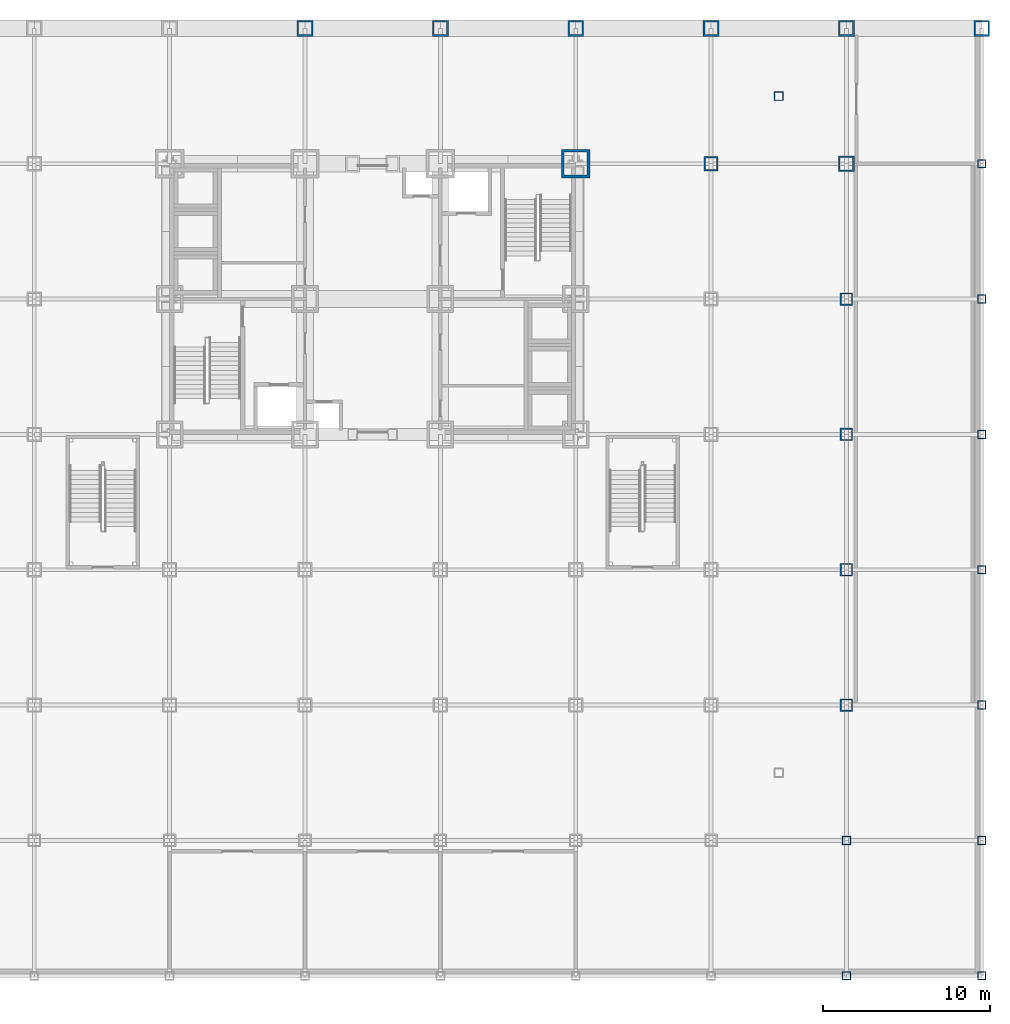
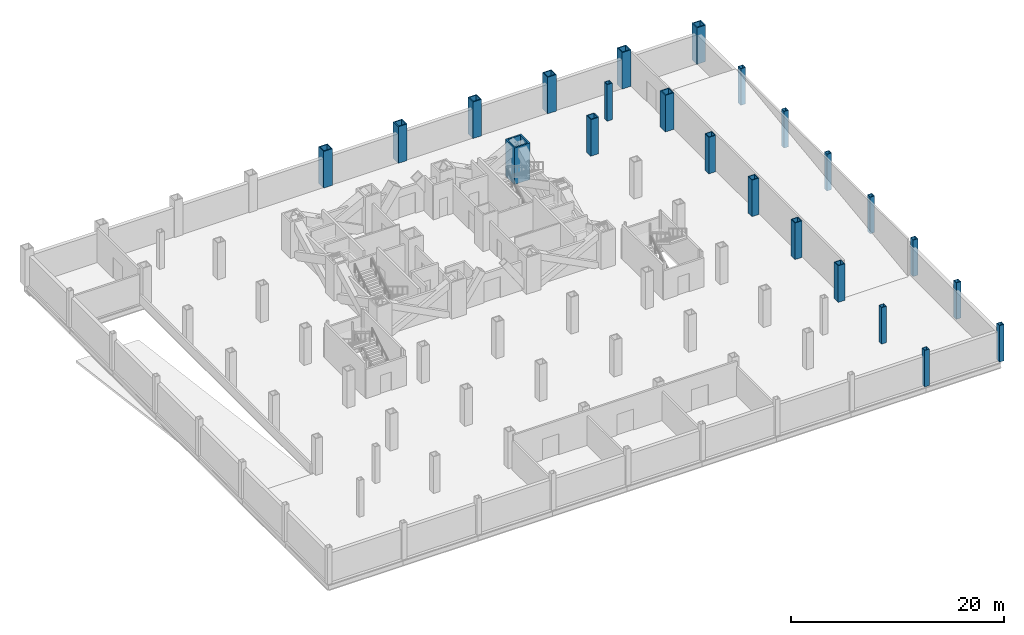
# One storey, part 8 of 14: 23 columns.
"""IFC4 building model written with IfcOpenShell, lengths in metres."""

from ifc_helpers import new_model, si_unit, direction, frame, origin, origin_2d, place, context, subcontext, project, spatial, hollow_rectangle, extrude, material, material_profile, profile_set, type_object, element, save


model = new_model("IFC4")

# Units and contexts
model_context = context("Model", 3, precision=1e-05, world=origin(), true_north=direction((0.0, 1.0)))
body_context = subcontext(model_context, "Body", "Model", "MODEL_VIEW")
ifc_project = project(units=[si_unit("LENGTHUNIT", "METRE"), si_unit("AREAUNIT", "SQUARE_METRE"), si_unit("VOLUMEUNIT", "CUBIC_METRE"), si_unit("PLANEANGLEUNIT", "RADIAN"), si_unit("MASSUNIT", "GRAM", prefix="KILO")], contexts=[model_context])

# Site, building, storey
site_placement = place(None, origin())
site = spatial("IfcSite", under=ifc_project, at=site_placement, CompositionType="ELEMENT")
building_placement = place(site_placement, origin())
building = spatial("IfcBuilding", under=site, at=building_placement, Name="Kopane Lantern Tower", CompositionType="ELEMENT")
storey_placement = place(building_placement, frame((0.0, 0.0, -4.199951171875)))
storey = spatial("IfcBuildingStorey", under=building, at=storey_placement, Name="L-01", CompositionType="ELEMENT", Elevation=-4.199951171875)

# Columns
ifc_material_1 = material(Name="Steel S355JR", Category="steel")
ifc_material_profile_1 = material_profile(ifc_material_1, hollow_rectangle(XDim=1.699951171875, YDim=1.699951171875, WallThickness=0.159912109375, at=origin_2d()), Name="BOX 1700x1700x160")
ifc_profile_set_1 = profile_set([ifc_material_profile_1], Name="Steel S355JR")
column_type_1 = type_object("IfcColumnType", Name="COLUMN BOX 1700x1700x160", PredefinedType="COLUMN", material=ifc_profile_set_1)
column_1_placement = place(storey_placement, frame((40.5, 40.5, 0.0), z_axis=(0.0, 0.0, 1.0), x_axis=(1.0, 0.0, 0.0)))
element("IfcColumn", 1, at=column_1_placement, inside=storey, type_object=column_type_1, Name="Column 7/G L-01", PredefinedType="COLUMN", context=body_context, shape_type="SweptSolid", body=[
    extrude(hollow_rectangle(XDim=1.699951171875, YDim=1.699951171875, WallThickness=0.159912109375, at=origin_2d()), origin(), (0.0, 0.0, 1.0), 4.199951171875),
])
ifc_material_2 = material(Name="Steel S355JR", Category="steel")
ifc_material_profile_2 = material_profile(ifc_material_2, hollow_rectangle(XDim=0.5, YDim=0.5, WallThickness=0.030029296875, at=origin_2d()), Name="BOX 500x500x30")
ifc_profile_set_2 = profile_set([ifc_material_profile_2], Name="Steel S355JR")
column_type_2 = type_object("IfcColumnType", Name="COLUMN BOX 500x500x30", PredefinedType="COLUMN", material=ifc_profile_set_2)
for number, where, z_axis, x_axis, name in (
    (2, (56.699951171875, -8.10009765625, 0.0), (0.0, 0.0, 1.0), (1.0, 0.0, 0.0), "Column 9/A L-01"),
    (3, (56.699951171875, 0.0, 0.0), (0.0, 0.0, 1.0), (1.0, 0.0, 0.0), "Column 9/B L-01"),
    (4, (64.800048828125, -8.10009765625, 0.0), (0.0, 0.0, 1.0), (1.0, 0.0, 0.0), "Column 10/A L-01"),
    (5, (64.800048828125, 0.0, 0.0), (0.0, 0.0, 1.0), (1.0, 0.0, 0.0), "Column 10/B L-01"),
    (6, (64.800048828125, 8.10009765625, 0.0), (0.0, 0.0, 1.0), (1.0, 0.0, 0.0), "Column 10/C L-01"),
    (7, (64.800048828125, 16.199951171875, 0.0), (0.0, 0.0, 1.0), (1.0, 0.0, 0.0), "Column 10/D L-01"),
    (8, (64.800048828125, 24.300048828125, 0.0), (0.0, 0.0, 1.0), (1.0, 0.0, 0.0), "Column 10/E L-01"),
    (9, (64.800048828125, 32.39990234375, 0.0), (0.0, 0.0, 1.0), (1.0, 0.0, 0.0), "Column 10/F L-01"),
    (10, (64.800048828125, 40.5, 0.0), (0.0, 0.0, 1.0), (1.0, 0.0, 0.0), "Column 10/G L-01"),
):
    element("IfcColumn", number, at=place(storey_placement, frame(where, z_axis=z_axis, x_axis=x_axis)), inside=storey, type_object=column_type_2, Name=name, PredefinedType="COLUMN", context=body_context, shape_type="SweptSolid", body=[
        extrude(hollow_rectangle(XDim=0.5, YDim=0.5, WallThickness=0.030029296875, at=origin_2d()), origin(), (0.0, 0.0, 1.0), 4.199951171875),
    ])
ifc_material_3 = material(Name="Steel S355JR", Category="steel")
ifc_material_profile_3 = material_profile(ifc_material_3, hollow_rectangle(XDim=0.550048828125, YDim=0.550048828125, WallThickness=0.050048828125, at=origin_2d()), Name="BOX 550x550x50")
ifc_profile_set_3 = profile_set([ifc_material_profile_3], Name="Steel S355JR")
column_type_3 = type_object("IfcColumnType", Name="COLUMN BOX 550x550x50", PredefinedType="COLUMN", material=ifc_profile_set_3)
column_2_placement = place(storey_placement, frame((52.64990234375, 44.550048828125, 0.0), z_axis=(0.0, 0.0, 1.0), x_axis=(1.0, 0.0, 0.0)))
element("IfcColumn", 11, at=column_2_placement, inside=storey, type_object=column_type_3, Name="Column 52.65/44.55 L-01", PredefinedType="COLUMN", context=body_context, shape_type="SweptSolid", body=[
    extrude(hollow_rectangle(XDim=0.550048828125, YDim=0.550048828125, WallThickness=0.050048828125, at=origin_2d()), origin(), (0.0, 0.0, 1.0), 4.199951171875),
])
ifc_material_4 = material(Name="Steel S355JR", Category="steel")
ifc_material_profile_4 = material_profile(ifc_material_4, hollow_rectangle(XDim=0.75, YDim=0.75, WallThickness=0.070068359375, at=origin_2d()), Name="BOX 750x750x70")
ifc_profile_set_4 = profile_set([ifc_material_profile_4], Name="Steel S355JR")
column_type_4 = type_object("IfcColumnType", Name="COLUMN BOX 750x750x70", PredefinedType="COLUMN", material=ifc_profile_set_4)
for number, where, z_axis, x_axis, name in (
    (12, (56.699951171875, 8.10009765625, 0.0), (0.0, 0.0, 1.0), (1.0, 0.0, 0.0), "Column 9/C L-01"),
    (13, (56.699951171875, 16.199951171875, 0.0), (0.0, 0.0, 1.0), (1.0, 0.0, 0.0), "Column 9/D L-01"),
    (14, (56.699951171875, 24.300048828125, 0.0), (0.0, 0.0, 1.0), (1.0, 0.0, 0.0), "Column 9/E L-01"),
    (15, (56.699951171875, 32.39990234375, 0.0), (0.0, 0.0, 1.0), (1.0, 0.0, 0.0), "Column 9/F L-01"),
):
    element("IfcColumn", number, at=place(storey_placement, frame(where, z_axis=z_axis, x_axis=x_axis)), inside=storey, type_object=column_type_4, Name=name, PredefinedType="COLUMN", context=body_context, shape_type="SweptSolid", body=[
        extrude(hollow_rectangle(XDim=0.75, YDim=0.75, WallThickness=0.070068359375, at=origin_2d()), origin(), (0.0, 0.0, 1.0), 4.199951171875),
    ])
ifc_material_5 = material(Name="Steel S355JR", Category="steel")
ifc_material_profile_5 = material_profile(ifc_material_5, hollow_rectangle(XDim=0.85009765625, YDim=0.85009765625, WallThickness=0.0849609375, at=origin_2d()), Name="BOX 850x850x85")
ifc_profile_set_5 = profile_set([ifc_material_profile_5], Name="Steel S355JR")
column_type_5 = type_object("IfcColumnType", Name="COLUMN BOX 850x850x85", PredefinedType="COLUMN", material=ifc_profile_set_5)
column_3_placement = place(storey_placement, frame((48.60009765625, 40.5, 0.0), z_axis=(0.0, 0.0, 1.0), x_axis=(1.0, 0.0, 0.0)))
element("IfcColumn", 16, at=column_3_placement, inside=storey, type_object=column_type_5, Name="Column 8/G L-01", PredefinedType="COLUMN", context=body_context, shape_type="SweptSolid", body=[
    extrude(hollow_rectangle(XDim=0.85009765625, YDim=0.85009765625, WallThickness=0.0849609375, at=origin_2d()), origin(), (0.0, 0.0, 1.0), 4.199951171875),
])
ifc_material_6 = material(Name="Steel S355JR", Category="steel")
ifc_material_profile_6 = material_profile(ifc_material_6, hollow_rectangle(XDim=0.949951171875, YDim=0.949951171875, WallThickness=0.10009765625, at=origin_2d()), Name="BOX 950x950x100")
ifc_profile_set_6 = profile_set([ifc_material_profile_6], Name="Steel S355JR")
column_type_6 = type_object("IfcColumnType", Name="COLUMN BOX 950x950x100", PredefinedType="COLUMN", material=ifc_profile_set_6)
for number, where, z_axis, x_axis, name in (
    (17, (24.300048828125, 48.60009765625, 0.0), (0.0, 0.0, 1.0), (1.0, 0.0, 0.0), "Column 5/H L-01"),
    (18, (32.39990234375, 48.60009765625, 0.0), (0.0, 0.0, 1.0), (1.0, 0.0, 0.0), "Column 6/H L-01"),
    (19, (40.5, 48.60009765625, 0.0), (0.0, 0.0, 1.0), (1.0, 0.0, 0.0), "Column 7/H L-01"),
    (20, (48.60009765625, 48.60009765625, 0.0), (0.0, 0.0, 1.0), (1.0, 0.0, 0.0), "Column 8/H L-01"),
    (21, (56.699951171875, 40.5, 0.0), (0.0, 0.0, 1.0), (1.0, 0.0, 0.0), "Column 9/G L-01"),
    (22, (56.699951171875, 48.60009765625, 0.0), (0.0, 0.0, 1.0), (1.0, 0.0, 0.0), "Column 9/H L-01"),
    (23, (64.800048828125, 48.60009765625, 0.0), (0.0, 0.0, 1.0), (1.0, 0.0, 0.0), "Column 10/H L-01"),
):
    element("IfcColumn", number, at=place(storey_placement, frame(where, z_axis=z_axis, x_axis=x_axis)), inside=storey, type_object=column_type_6, Name=name, PredefinedType="COLUMN", context=body_context, shape_type="SweptSolid", body=[
        extrude(hollow_rectangle(XDim=0.949951171875, YDim=0.949951171875, WallThickness=0.10009765625, at=origin_2d()), origin(), (0.0, 0.0, 1.0), 4.199951171875),
    ])

save(model, "model.ifc")
